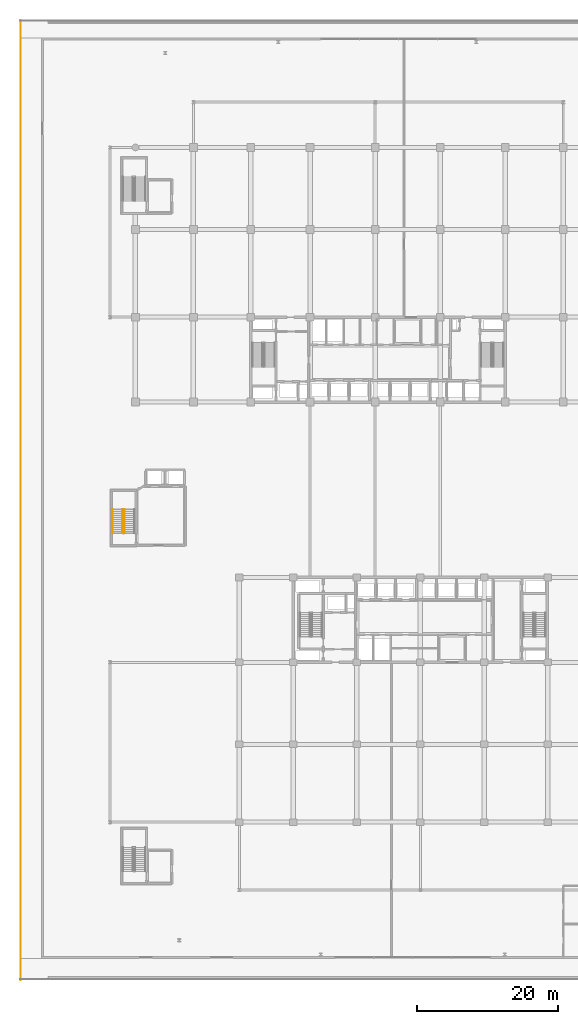
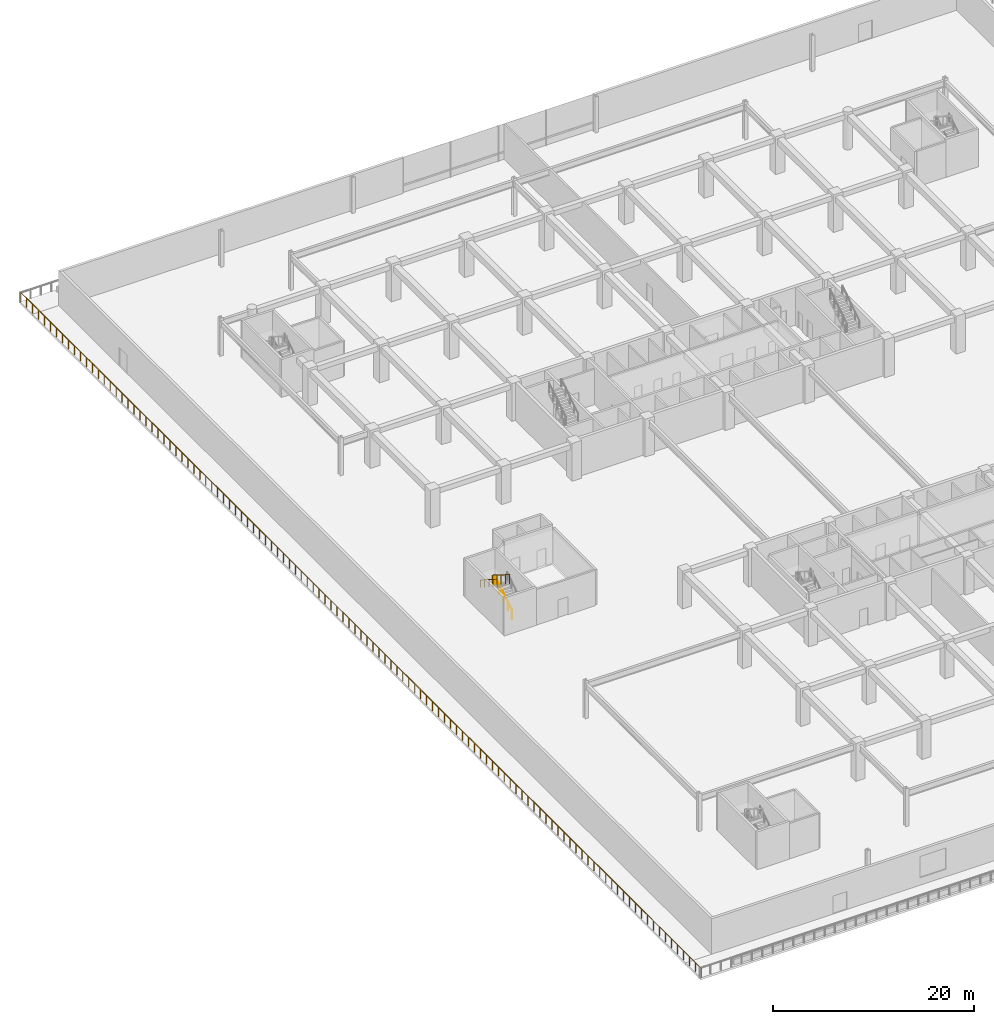
# One storey, part 38 of 45: 4 railings.
"""IFC4 building model written with IfcOpenShell, lengths in metres."""

import ifcopenshell
import ifcopenshell.guid

model = None  # the IFC model being written
_history = None  # IfcOwnerHistory: only IFC2X3 demands one
_inside = {}  # id of a spatial element -> (the spatial element, [elements in it])
_under = {}  # id of a project, library or spatial element -> (it, [spatial elements below it])
_declared = {}  # id of a project -> (the project, [libraries it declares])
_typed = {}  # id of a type object -> (the type object, [elements of that type])
_made_of = {}  # id of a material, layer set ... -> (it, [elements and type objects made of it])


def new_model(schema):
    """Start an empty IFC model of exactly this schema.

    Asked for "IFC4X3", IfcOpenShell would pick the latest addendum, in which some entities
    have other attributes; the version numbers below select the first issue.
    IFC2X3 requires an IfcOwnerHistory on every rooted entity: one is made here for all.
    """
    global model, _history
    if schema == "IFC4X3":
        model = ifcopenshell.file(schema_version=(4, 3, 0, 0))
    else:
        model = ifcopenshell.file(schema=schema)
    _inside.clear()
    _under.clear()
    _declared.clear()
    _typed.clear()
    _made_of.clear()
    _history = None
    if model.schema == "IFC2X3":
        org = make("IfcOrganization", Name="unknown")
        user = make(
            "IfcPersonAndOrganization",
            ThePerson=make("IfcPerson", FamilyName="unknown"),
            TheOrganization=org,
        )
        app = make(
            "IfcApplication",
            ApplicationDeveloper=org,
            Version="unknown",
            ApplicationFullName="unknown",
            ApplicationIdentifier="unknown",
        )
        _history = make(
            "IfcOwnerHistory",
            OwningUser=user,
            OwningApplication=app,
            ChangeAction="ADDED",
            CreationDate=0,
        )
    return model


def make(cls, **values):
    """One entity of the class cls with the attributes given. An attribute that is None is left unset."""
    return model.create_entity(
        cls, **{name: value for name, value in values.items() if value is not None}
    )


def rooted(cls, **values):
    """An entity with a GlobalId (a new one), such as an element, a storey or a relation."""
    return make(cls, GlobalId=ifcopenshell.guid.new(), OwnerHistory=_history, **values)


def si_unit(unit_type, name, prefix=None):
    """IfcSIUnit, for example si_unit("LENGTHUNIT", "METRE", prefix="MILLI")."""
    return make("IfcSIUnit", UnitType=unit_type, Prefix=prefix, Name=name)


def assignment(units):
    """IfcUnitAssignment: the units of a project."""
    return None if units is None else make("IfcUnitAssignment", Units=units)


def point(xyz):
    """IfcCartesianPoint."""
    return None if xyz is None else make("IfcCartesianPoint", Coordinates=xyz)


def direction(xyz):
    """IfcDirection."""
    return None if xyz is None else make("IfcDirection", DirectionRatios=xyz)


def frame(location, z_axis=None, x_axis=None):
    """IfcAxis2Placement3D, a coordinate frame: its origin and axes. An axis left out is left unset."""
    return make(
        "IfcAxis2Placement3D",
        Location=point(location),
        Axis=direction(z_axis),
        RefDirection=direction(x_axis),
    )


def frame_2d(location, x_axis=None):
    """IfcAxis2Placement2D, a coordinate frame in the plane: its origin and x axis."""
    return make(
        "IfcAxis2Placement2D", Location=point(location), RefDirection=direction(x_axis)
    )


def origin():
    """The frame at (0, 0, 0) with its axes left unset."""
    return frame((0.0, 0.0, 0.0))


def origin_2d():
    """The frame at (0, 0) in the plane with its x axis left unset."""
    return frame_2d((0.0, 0.0))


def place(relative_to, where):
    """IfcLocalPlacement: puts the frame where relative to a parent placement (None: the world)."""
    return make(
        "IfcLocalPlacement", PlacementRelTo=relative_to, RelativePlacement=where
    )


def context(
    kind, dimensions, precision=None, world=None, true_north=None, identifier=None
):
    """IfcGeometricRepresentationContext, for example the 3D "Model" context."""
    return make(
        "IfcGeometricRepresentationContext",
        ContextIdentifier=identifier,
        ContextType=kind,
        CoordinateSpaceDimension=dimensions,
        Precision=precision,
        WorldCoordinateSystem=world,
        TrueNorth=true_north,
    )


def subcontext(parent, identifier, kind, view, scale=None):
    """IfcGeometricRepresentationSubContext, for example "Body" below "Model"."""
    return make(
        "IfcGeometricRepresentationSubContext",
        ContextIdentifier=identifier,
        ContextType=kind,
        ParentContext=parent,
        TargetScale=scale,
        TargetView=view,
    )


def project(units=None, contexts=None):
    """IfcProject with its units and contexts."""
    return rooted(
        "IfcProject",
        Name="project",
        RepresentationContexts=contexts,
        UnitsInContext=assignment(units),
    )


def spatial(cls, under=None, at=None, **own):
    """A site, building, storey or space (cls), placed at a placement, below another one or the project."""
    s = rooted(cls, ObjectPlacement=at, **own)
    if under is not None:
        _under.setdefault(under.id(), (under, []))[1].append(s)
    return s


def profile(cls, at=None, kind="AREA", **sizes):
    """A parametric profile (cls). Its sizes go by their IFC names, for example OverallWidth=200.0."""
    return make(cls, ProfileType=kind, Position=at, **sizes)


def circle(**sizes):
    """IfcCircleProfileDef."""
    return profile("IfcCircleProfileDef", **sizes)


def extrude(swept, where, along, depth):
    """IfcExtrudedAreaSolid: the profile swept, set in the frame where, extruded along a direction by depth."""
    return make(
        "IfcExtrudedAreaSolid",
        SweptArea=swept,
        Position=where,
        ExtrudedDirection=direction(along),
        Depth=depth,
    )


def shape(context_of_items, identifier, shape_type, items):
    """IfcShapeRepresentation: the items that make up one representation, for example the "Body"."""
    return make(
        "IfcShapeRepresentation",
        ContextOfItems=context_of_items,
        RepresentationIdentifier=identifier,
        RepresentationType=shape_type,
        Items=items,
    )


def material(Name=None, Category=None):
    """IfcMaterial."""
    return make("IfcMaterial", Name=Name, Category=Category)


def made_of(thing, what):
    """Note that an element or type object is made of a material, layer set ...; save() writes the relation."""
    if what is not None:
        _made_of.setdefault(what.id(), (what, []))[1].append(thing)
    return thing


def type_object(cls, material=None, **own):
    """A type object (cls), such as IfcWallType, which elements share."""
    return made_of(rooted(cls, **own), material)


def element(
    cls,
    number,
    at=None,
    inside=None,
    cuts=None,
    type_object=None,
    material=None,
    context=None,
    identifier="Body",
    shape_type=None,
    held_by="IfcProductDefinitionShape",
    body=None,
    shapes=None,
    **own,
):
    """One element of the class cls, such as IfcWall. Its Tag is "e" and its number.

    at: its placement. inside: the storey or other place that contains it. cuts: it is an
    opening in that element (IfcRelVoidsElement). A single representation is given by context,
    identifier, shape_type and body (its items); several are given by shapes. held_by: the class
    of the entity that holds the representations. save() writes the other relations.
    """
    e = rooted(cls, Tag="e%d" % number, ObjectPlacement=at, **own)
    if body is not None:
        shapes = [shape(context, identifier, shape_type, body)]
    if shapes is not None:
        e.Representation = make(held_by, Representations=shapes)
    if inside is not None:
        _inside.setdefault(inside.id(), (inside, []))[1].append(e)
    if cuts is not None:
        rooted(
            "IfcRelVoidsElement", RelatingBuildingElement=cuts, RelatedOpeningElement=e
        )
    if type_object is not None:
        _typed.setdefault(type_object.id(), (type_object, []))[1].append(e)
    return made_of(e, material)


def aggregate(whole, parts):
    """IfcRelAggregates: a whole, such as a stair, and the parts it consists of."""
    return rooted("IfcRelAggregates", RelatingObject=whole, RelatedObjects=parts)


def save(model, path):
    """Write the relations noted so far, then the file.

    IfcRelAggregates (storeys below a building ...), IfcRelContainedInSpatialStructure (elements
    in a storey), IfcRelDefinesByType, IfcRelAssociatesMaterial and IfcRelDeclares: one each for
    every whole, place, type object, material and project.
    """
    for whole, parts in _under.values():
        aggregate(whole, parts)
    for where, things in _inside.values():
        rooted(
            "IfcRelContainedInSpatialStructure",
            RelatedElements=things,
            RelatingStructure=where,
        )
    for kind, things in _typed.values():
        rooted("IfcRelDefinesByType", RelatedObjects=things, RelatingType=kind)
    for what, things in _made_of.values():
        rooted("IfcRelAssociatesMaterial", RelatedObjects=things, RelatingMaterial=what)
    for by, libraries in _declared.values():
        rooted("IfcRelDeclares", RelatingContext=by, RelatedDefinitions=libraries)
    model.write(path)


model = new_model("IFC4")

# Units and contexts
model_context = context("Model", 3, precision=1e-05, world=origin(), true_north=direction((0.0, 1.0)))
body_context = subcontext(model_context, "Body", "Model", "MODEL_VIEW")
ifc_project = project(units=[si_unit("LENGTHUNIT", "METRE"), si_unit("AREAUNIT", "SQUARE_METRE"), si_unit("VOLUMEUNIT", "CUBIC_METRE"), si_unit("PLANEANGLEUNIT", "RADIAN"), si_unit("MASSUNIT", "GRAM", prefix="KILO")], contexts=[model_context])

# Site, building, storey
site_placement = place(None, origin())
site = spatial("IfcSite", under=ifc_project, at=site_placement, CompositionType="ELEMENT")
building_placement = place(site_placement, origin())
building = spatial("IfcBuilding", under=site, at=building_placement, Name="Korimba Cascade Residences", CompositionType="ELEMENT")
storey_placement = place(building_placement, frame((0.0, 0.0, 5.39990234375)))
storey = spatial("IfcBuildingStorey", under=building, at=storey_placement, Name="L01", CompositionType="ELEMENT", Elevation=5.39990234375)

# Railings
ifc_material_1 = material(Name="Painted Steel Stairwell Guardrail", Category="steel")
railing_type_1 = type_object("IfcRailingType", Name="RLG-ST-GD1150", PredefinedType="GUARDRAIL", material=ifc_material_1)
railing_1_placement = place(storey_placement, frame((58.27001953125, 36.64990234375, 0.177001953125)))
element("IfcRailing", 1, at=railing_1_placement, inside=storey, type_object=railing_type_1, Name="L01 ST-P1 stair guard 1", PredefinedType="GUARDRAIL", context=body_context, shape_type="SweptSolid", body=[
    extrude(circle(Radius=0.02392578125, at=origin_2d()), frame((0.0, 0.0, 1.1259765625), z_axis=(0.0, 0.845389635667, 0.534150132366), x_axis=(-1.0, 0.0, 0.0)), (0.0, 0.0, 1.0), 3.974609375),
    extrude(circle(Radius=0.02099609375, at=origin_2d()), origin(), (0.0, 0.0, 1.0), 1.101806640625),
    extrude(circle(Radius=0.02099609375, at=origin_2d()), frame((0.0, 0.840087890625, 0.53076171875)), (0.0, 0.0, 1.0), 1.101806640625),
    extrude(circle(Radius=0.02099609375, at=origin_2d()), frame((0.0, 1.68017578125, 1.0615234375)), (0.0, 0.0, 1.0), 1.101806640625),
    extrude(circle(Radius=0.02099609375, at=origin_2d()), frame((0.0, 2.52001953125, 1.59228515625)), (0.0, 0.0, 1.0), 1.101806640625),
    extrude(circle(Radius=0.02099609375, at=origin_2d()), frame((0.0, 3.360107421875, 2.123046875)), (0.0, 0.0, 1.0), 1.101806640625),
])
railing_2_placement = place(storey_placement, frame((57.969970703125, 40.010009765625, 2.47705078125)))
element("IfcRailing", 2, at=railing_2_placement, inside=storey, type_object=railing_type_1, Name="L01 ST-P1 stair guard 3", PredefinedType="GUARDRAIL", context=body_context, shape_type="SweptSolid", body=[
    extrude(circle(Radius=0.02392578125, at=origin_2d()), frame((0.0, 0.0, 1.1259765625), z_axis=(0.0, -0.845389635667, 0.534150132366), x_axis=(1.0, 0.0, 0.0)), (0.0, 0.0, 1.0), 3.974609375),
    extrude(circle(Radius=0.02099609375, at=origin_2d()), origin(), (0.0, 0.0, 1.0), 1.101806640625),
    extrude(circle(Radius=0.02099609375, at=origin_2d()), frame((0.0, -0.840087890625, 0.53076171875)), (0.0, 0.0, 1.0), 1.101806640625),
    extrude(circle(Radius=0.02099609375, at=origin_2d()), frame((0.0, -1.68017578125, 1.0615234375)), (0.0, 0.0, 1.0), 1.101806640625),
    extrude(circle(Radius=0.02099609375, at=origin_2d()), frame((0.0, -2.52001953125, 1.59228515625)), (0.0, 0.0, 1.0), 1.101806640625),
    extrude(circle(Radius=0.02099609375, at=origin_2d()), frame((0.0, -3.360107421875, 2.123046875)), (0.0, 0.0, 1.0), 1.101806640625),
])
ifc_material_2 = material(Name="Brushed Stainless Steel Handrail", Category="steel")
railing_type_2 = type_object("IfcRailingType", Name="RLG-ST-HR900", PredefinedType="HANDRAIL", material=ifc_material_2)
railing_3_placement = place(storey_placement, frame((56.550048828125, 40.010009765625, 2.65771484375)))
element("IfcRailing", 3, at=railing_3_placement, inside=storey, type_object=railing_type_2, Name="L01 ST-P1 stair handrail 2", PredefinedType="HANDRAIL", context=body_context, shape_type="SweptSolid", body=[
    extrude(circle(Radius=0.02392578125, at=origin_2d()), frame((0.0, 0.0, 0.8759765625), z_axis=(0.0, -0.845389635667, 0.534150132366), x_axis=(1.0, 0.0, 0.0)), (0.0, 0.0, 1.0), 3.974609375),
    extrude(circle(Radius=0.02099609375, at=origin_2d()), origin(), (0.0, 0.0, 1.0), 0.851806640625),
    extrude(circle(Radius=0.02099609375, at=origin_2d()), frame((0.0, -0.840087890625, 0.53076171875)), (0.0, 0.0, 1.0), 0.851806640625),
    extrude(circle(Radius=0.02099609375, at=origin_2d()), frame((0.0, -1.68017578125, 1.0615234375)), (0.0, 0.0, 1.0), 0.851806640625),
    extrude(circle(Radius=0.02099609375, at=origin_2d()), frame((0.0, -2.52001953125, 1.59228515625)), (0.0, 0.0, 1.0), 0.851806640625),
    extrude(circle(Radius=0.02099609375, at=origin_2d()), frame((0.0, -3.360107421875, 2.123046875)), (0.0, 0.0, 1.0), 0.851806640625),
])
ifc_material_3 = material(Name="Painted Galvanised Steel Terrace Guardrail", Category="steel")
railing_type_3 = type_object("IfcRailingType", Name="RLG-TER-1150", PredefinedType="GUARDRAIL", material=ifc_material_3)
railing_4_placement = place(storey_placement, frame((43.580078125, 109.199951171875, 0.0)))
element("IfcRailing", 4, at=railing_4_placement, inside=storey, type_object=railing_type_3, Name="L01 Perimeter Guardrail RLG-L01-TER-04", PredefinedType="GUARDRAIL", context=body_context, shape_type="SweptSolid", body=[
    extrude(circle(Radius=0.02392578125, at=origin_2d()), frame((0.0, 0.0, 1.1259765625), z_axis=(0.0, -1.0, 0.0), x_axis=(1.0, 0.0, 0.0)), (0.0, 0.0, 1.0), 135.699951171875),
    extrude(circle(Radius=0.02099609375, at=origin_2d()), origin(), (0.0, 0.0, 1.0), 1.101806640625),
    extrude(circle(Radius=0.02099609375, at=origin_2d()), frame((0.0, -1.1904296875, 0.0)), (0.0, 0.0, 1.0), 1.101806640625),
    extrude(circle(Radius=0.02099609375, at=origin_2d()), frame((0.0, -2.380615234375, 0.0)), (0.0, 0.0, 1.0), 1.101806640625),
    extrude(circle(Radius=0.02099609375, at=origin_2d()), frame((0.0, -3.571044921875, 0.0)), (0.0, 0.0, 1.0), 1.101806640625),
    extrude(circle(Radius=0.02099609375, at=origin_2d()), frame((0.0, -4.761474609375, 0.0)), (0.0, 0.0, 1.0), 1.101806640625),
    extrude(circle(Radius=0.02099609375, at=origin_2d()), frame((0.0, -5.95166015625, 0.0)), (0.0, 0.0, 1.0), 1.101806640625),
    extrude(circle(Radius=0.02099609375, at=origin_2d()), frame((0.0, -7.14208984375, 0.0)), (0.0, 0.0, 1.0), 1.101806640625),
    extrude(circle(Radius=0.02099609375, at=origin_2d()), frame((0.0, -8.33251953125, 0.0)), (0.0, 0.0, 1.0), 1.101806640625),
    extrude(circle(Radius=0.02099609375, at=origin_2d()), frame((0.0, -9.522705078125, 0.0)), (0.0, 0.0, 1.0), 1.101806640625),
    extrude(circle(Radius=0.02099609375, at=origin_2d()), frame((0.0, -10.713134765625, 0.0)), (0.0, 0.0, 1.0), 1.101806640625),
    extrude(circle(Radius=0.02099609375, at=origin_2d()), frame((0.0, -11.903564453125, 0.0)), (0.0, 0.0, 1.0), 1.101806640625),
    extrude(circle(Radius=0.02099609375, at=origin_2d()), frame((0.0, -13.09375, 0.0)), (0.0, 0.0, 1.0), 1.101806640625),
    extrude(circle(Radius=0.02099609375, at=origin_2d()), frame((0.0, -14.2841796875, 0.0)), (0.0, 0.0, 1.0), 1.101806640625),
    extrude(circle(Radius=0.02099609375, at=origin_2d()), frame((0.0, -15.474609375, 0.0)), (0.0, 0.0, 1.0), 1.101806640625),
    extrude(circle(Radius=0.02099609375, at=origin_2d()), frame((0.0, -16.664794921875, 0.0)), (0.0, 0.0, 1.0), 1.101806640625),
    extrude(circle(Radius=0.02099609375, at=origin_2d()), frame((0.0, -17.855224609375, 0.0)), (0.0, 0.0, 1.0), 1.101806640625),
    extrude(circle(Radius=0.02099609375, at=origin_2d()), frame((0.0, -19.045654296875, 0.0)), (0.0, 0.0, 1.0), 1.101806640625),
    extrude(circle(Radius=0.02099609375, at=origin_2d()), frame((0.0, -20.23583984375, 0.0)), (0.0, 0.0, 1.0), 1.101806640625),
    extrude(circle(Radius=0.02099609375, at=origin_2d()), frame((0.0, -21.42626953125, 0.0)), (0.0, 0.0, 1.0), 1.101806640625),
    extrude(circle(Radius=0.02099609375, at=origin_2d()), frame((0.0, -22.61669921875, 0.0)), (0.0, 0.0, 1.0), 1.101806640625),
    extrude(circle(Radius=0.02099609375, at=origin_2d()), frame((0.0, -23.80712890625, 0.0)), (0.0, 0.0, 1.0), 1.101806640625),
    extrude(circle(Radius=0.02099609375, at=origin_2d()), frame((0.0, -24.997314453125, 0.0)), (0.0, 0.0, 1.0), 1.101806640625),
    extrude(circle(Radius=0.02099609375, at=origin_2d()), frame((0.0, -26.187744140625, 0.0)), (0.0, 0.0, 1.0), 1.101806640625),
    extrude(circle(Radius=0.02099609375, at=origin_2d()), frame((0.0, -27.378173828125, 0.0)), (0.0, 0.0, 1.0), 1.101806640625),
    extrude(circle(Radius=0.02099609375, at=origin_2d()), frame((0.0, -28.568359375, 0.0)), (0.0, 0.0, 1.0), 1.101806640625),
    extrude(circle(Radius=0.02099609375, at=origin_2d()), frame((0.0, -29.7587890625, 0.0)), (0.0, 0.0, 1.0), 1.101806640625),
    extrude(circle(Radius=0.02099609375, at=origin_2d()), frame((0.0, -30.94921875, 0.0)), (0.0, 0.0, 1.0), 1.101806640625),
    extrude(circle(Radius=0.02099609375, at=origin_2d()), frame((0.0, -32.139404296875, 0.0)), (0.0, 0.0, 1.0), 1.101806640625),
    extrude(circle(Radius=0.02099609375, at=origin_2d()), frame((0.0, -33.329833984375, 0.0)), (0.0, 0.0, 1.0), 1.101806640625),
    extrude(circle(Radius=0.02099609375, at=origin_2d()), frame((0.0, -34.520263671875, 0.0)), (0.0, 0.0, 1.0), 1.101806640625),
    extrude(circle(Radius=0.02099609375, at=origin_2d()), frame((0.0, -35.71044921875, 0.0)), (0.0, 0.0, 1.0), 1.101806640625),
    extrude(circle(Radius=0.02099609375, at=origin_2d()), frame((0.0, -36.90087890625, 0.0)), (0.0, 0.0, 1.0), 1.101806640625),
    extrude(circle(Radius=0.02099609375, at=origin_2d()), frame((0.0, -38.09130859375, 0.0)), (0.0, 0.0, 1.0), 1.101806640625),
    extrude(circle(Radius=0.02099609375, at=origin_2d()), frame((0.0, -39.281494140625, 0.0)), (0.0, 0.0, 1.0), 1.101806640625),
    extrude(circle(Radius=0.02099609375, at=origin_2d()), frame((0.0, -40.471923828125, 0.0)), (0.0, 0.0, 1.0), 1.101806640625),
    extrude(circle(Radius=0.02099609375, at=origin_2d()), frame((0.0, -41.662353515625, 0.0)), (0.0, 0.0, 1.0), 1.101806640625),
    extrude(circle(Radius=0.02099609375, at=origin_2d()), frame((0.0, -42.8525390625, 0.0)), (0.0, 0.0, 1.0), 1.101806640625),
    extrude(circle(Radius=0.02099609375, at=origin_2d()), frame((0.0, -44.04296875, 0.0)), (0.0, 0.0, 1.0), 1.101806640625),
    extrude(circle(Radius=0.02099609375, at=origin_2d()), frame((0.0, -45.2333984375, 0.0)), (0.0, 0.0, 1.0), 1.101806640625),
    extrude(circle(Radius=0.02099609375, at=origin_2d()), frame((0.0, -46.423583984375, 0.0)), (0.0, 0.0, 1.0), 1.101806640625),
    extrude(circle(Radius=0.02099609375, at=origin_2d()), frame((0.0, -47.614013671875, 0.0)), (0.0, 0.0, 1.0), 1.101806640625),
    extrude(circle(Radius=0.02099609375, at=origin_2d()), frame((0.0, -48.804443359375, 0.0)), (0.0, 0.0, 1.0), 1.101806640625),
    extrude(circle(Radius=0.02099609375, at=origin_2d()), frame((0.0, -49.99462890625, 0.0)), (0.0, 0.0, 1.0), 1.101806640625),
    extrude(circle(Radius=0.02099609375, at=origin_2d()), frame((0.0, -51.18505859375, 0.0)), (0.0, 0.0, 1.0), 1.101806640625),
    extrude(circle(Radius=0.02099609375, at=origin_2d()), frame((0.0, -52.37548828125, 0.0)), (0.0, 0.0, 1.0), 1.101806640625),
    extrude(circle(Radius=0.02099609375, at=origin_2d()), frame((0.0, -53.565673828125, 0.0)), (0.0, 0.0, 1.0), 1.101806640625),
    extrude(circle(Radius=0.02099609375, at=origin_2d()), frame((0.0, -54.756103515625, 0.0)), (0.0, 0.0, 1.0), 1.101806640625),
    extrude(circle(Radius=0.02099609375, at=origin_2d()), frame((0.0, -55.946533203125, 0.0)), (0.0, 0.0, 1.0), 1.101806640625),
    extrude(circle(Radius=0.02099609375, at=origin_2d()), frame((0.0, -57.13671875, 0.0)), (0.0, 0.0, 1.0), 1.101806640625),
    extrude(circle(Radius=0.02099609375, at=origin_2d()), frame((0.0, -58.3271484375, 0.0)), (0.0, 0.0, 1.0), 1.101806640625),
    extrude(circle(Radius=0.02099609375, at=origin_2d()), frame((0.0, -59.517578125, 0.0)), (0.0, 0.0, 1.0), 1.101806640625),
    extrude(circle(Radius=0.02099609375, at=origin_2d()), frame((0.0, -60.707763671875, 0.0)), (0.0, 0.0, 1.0), 1.101806640625),
    extrude(circle(Radius=0.02099609375, at=origin_2d()), frame((0.0, -61.898193359375, 0.0)), (0.0, 0.0, 1.0), 1.101806640625),
    extrude(circle(Radius=0.02099609375, at=origin_2d()), frame((0.0, -63.088623046875, 0.0)), (0.0, 0.0, 1.0), 1.101806640625),
    extrude(circle(Radius=0.02099609375, at=origin_2d()), frame((0.0, -64.27880859375, 0.0)), (0.0, 0.0, 1.0), 1.101806640625),
    extrude(circle(Radius=0.02099609375, at=origin_2d()), frame((0.0, -65.46923828125, 0.0)), (0.0, 0.0, 1.0), 1.101806640625),
    extrude(circle(Radius=0.02099609375, at=origin_2d()), frame((0.0, -66.65966796875, 0.0)), (0.0, 0.0, 1.0), 1.101806640625),
    extrude(circle(Radius=0.02099609375, at=origin_2d()), frame((0.0, -67.85009765625, 0.0)), (0.0, 0.0, 1.0), 1.101806640625),
    extrude(circle(Radius=0.02099609375, at=origin_2d()), frame((0.0, -69.040283203125, 0.0)), (0.0, 0.0, 1.0), 1.101806640625),
    extrude(circle(Radius=0.02099609375, at=origin_2d()), frame((0.0, -70.230712890625, 0.0)), (0.0, 0.0, 1.0), 1.101806640625),
    extrude(circle(Radius=0.02099609375, at=origin_2d()), frame((0.0, -71.421142578125, 0.0)), (0.0, 0.0, 1.0), 1.101806640625),
    extrude(circle(Radius=0.02099609375, at=origin_2d()), frame((0.0, -72.611328125, 0.0)), (0.0, 0.0, 1.0), 1.101806640625),
    extrude(circle(Radius=0.02099609375, at=origin_2d()), frame((0.0, -73.8017578125, 0.0)), (0.0, 0.0, 1.0), 1.101806640625),
    extrude(circle(Radius=0.02099609375, at=origin_2d()), frame((0.0, -74.9921875, 0.0)), (0.0, 0.0, 1.0), 1.101806640625),
    extrude(circle(Radius=0.02099609375, at=origin_2d()), frame((0.0, -76.182373046875, 0.0)), (0.0, 0.0, 1.0), 1.101806640625),
    extrude(circle(Radius=0.02099609375, at=origin_2d()), frame((0.0, -77.372802734375, 0.0)), (0.0, 0.0, 1.0), 1.101806640625),
    extrude(circle(Radius=0.02099609375, at=origin_2d()), frame((0.0, -78.563232421875, 0.0)), (0.0, 0.0, 1.0), 1.101806640625),
    extrude(circle(Radius=0.02099609375, at=origin_2d()), frame((0.0, -79.75341796875, 0.0)), (0.0, 0.0, 1.0), 1.101806640625),
    extrude(circle(Radius=0.02099609375, at=origin_2d()), frame((0.0, -80.94384765625, 0.0)), (0.0, 0.0, 1.0), 1.101806640625),
    extrude(circle(Radius=0.02099609375, at=origin_2d()), frame((0.0, -82.13427734375, 0.0)), (0.0, 0.0, 1.0), 1.101806640625),
    extrude(circle(Radius=0.02099609375, at=origin_2d()), frame((0.0, -83.324462890625, 0.0)), (0.0, 0.0, 1.0), 1.101806640625),
    extrude(circle(Radius=0.02099609375, at=origin_2d()), frame((0.0, -84.514892578125, 0.0)), (0.0, 0.0, 1.0), 1.101806640625),
    extrude(circle(Radius=0.02099609375, at=origin_2d()), frame((0.0, -85.705322265625, 0.0)), (0.0, 0.0, 1.0), 1.101806640625),
    extrude(circle(Radius=0.02099609375, at=origin_2d()), frame((0.0, -86.8955078125, 0.0)), (0.0, 0.0, 1.0), 1.101806640625),
    extrude(circle(Radius=0.02099609375, at=origin_2d()), frame((0.0, -88.0859375, 0.0)), (0.0, 0.0, 1.0), 1.101806640625),
    extrude(circle(Radius=0.02099609375, at=origin_2d()), frame((0.0, -89.2763671875, 0.0)), (0.0, 0.0, 1.0), 1.101806640625),
    extrude(circle(Radius=0.02099609375, at=origin_2d()), frame((0.0, -90.466552734375, 0.0)), (0.0, 0.0, 1.0), 1.101806640625),
    extrude(circle(Radius=0.02099609375, at=origin_2d()), frame((0.0, -91.656982421875, 0.0)), (0.0, 0.0, 1.0), 1.101806640625),
    extrude(circle(Radius=0.02099609375, at=origin_2d()), frame((0.0, -92.847412109375, 0.0)), (0.0, 0.0, 1.0), 1.101806640625),
    extrude(circle(Radius=0.02099609375, at=origin_2d()), frame((0.0, -94.03759765625, 0.0)), (0.0, 0.0, 1.0), 1.101806640625),
    extrude(circle(Radius=0.02099609375, at=origin_2d()), frame((0.0, -95.22802734375, 0.0)), (0.0, 0.0, 1.0), 1.101806640625),
    extrude(circle(Radius=0.02099609375, at=origin_2d()), frame((0.0, -96.41845703125, 0.0)), (0.0, 0.0, 1.0), 1.101806640625),
    extrude(circle(Radius=0.02099609375, at=origin_2d()), frame((0.0, -97.608642578125, 0.0)), (0.0, 0.0, 1.0), 1.101806640625),
    extrude(circle(Radius=0.02099609375, at=origin_2d()), frame((0.0, -98.799072265625, 0.0)), (0.0, 0.0, 1.0), 1.101806640625),
    extrude(circle(Radius=0.02099609375, at=origin_2d()), frame((0.0, -99.989501953125, 0.0)), (0.0, 0.0, 1.0), 1.101806640625),
    extrude(circle(Radius=0.02099609375, at=origin_2d()), frame((0.0, -101.1796875, 0.0)), (0.0, 0.0, 1.0), 1.101806640625),
    extrude(circle(Radius=0.02099609375, at=origin_2d()), frame((0.0, -102.3701171875, 0.0)), (0.0, 0.0, 1.0), 1.101806640625),
    extrude(circle(Radius=0.02099609375, at=origin_2d()), frame((0.0, -103.560546875, 0.0)), (0.0, 0.0, 1.0), 1.101806640625),
    extrude(circle(Radius=0.02099609375, at=origin_2d()), frame((0.0, -104.750732421875, 0.0)), (0.0, 0.0, 1.0), 1.101806640625),
    extrude(circle(Radius=0.02099609375, at=origin_2d()), frame((0.0, -105.941162109375, 0.0)), (0.0, 0.0, 1.0), 1.101806640625),
    extrude(circle(Radius=0.02099609375, at=origin_2d()), frame((0.0, -107.131591796875, 0.0)), (0.0, 0.0, 1.0), 1.101806640625),
    extrude(circle(Radius=0.02099609375, at=origin_2d()), frame((0.0, -108.32177734375, 0.0)), (0.0, 0.0, 1.0), 1.101806640625),
    extrude(circle(Radius=0.02099609375, at=origin_2d()), frame((0.0, -109.51220703125, 0.0)), (0.0, 0.0, 1.0), 1.101806640625),
    extrude(circle(Radius=0.02099609375, at=origin_2d()), frame((0.0, -110.70263671875, 0.0)), (0.0, 0.0, 1.0), 1.101806640625),
    extrude(circle(Radius=0.02099609375, at=origin_2d()), frame((0.0, -111.892822265625, 0.0)), (0.0, 0.0, 1.0), 1.101806640625),
    extrude(circle(Radius=0.02099609375, at=origin_2d()), frame((0.0, -113.083251953125, 0.0)), (0.0, 0.0, 1.0), 1.101806640625),
    extrude(circle(Radius=0.02099609375, at=origin_2d()), frame((0.0, -114.273681640625, 0.0)), (0.0, 0.0, 1.0), 1.101806640625),
    extrude(circle(Radius=0.02099609375, at=origin_2d()), frame((0.0, -115.464111328125, 0.0)), (0.0, 0.0, 1.0), 1.101806640625),
    extrude(circle(Radius=0.02099609375, at=origin_2d()), frame((0.0, -116.654296875, 0.0)), (0.0, 0.0, 1.0), 1.101806640625),
    extrude(circle(Radius=0.02099609375, at=origin_2d()), frame((0.0, -117.8447265625, 0.0)), (0.0, 0.0, 1.0), 1.101806640625),
    extrude(circle(Radius=0.02099609375, at=origin_2d()), frame((0.0, -119.03515625, 0.0)), (0.0, 0.0, 1.0), 1.101806640625),
    extrude(circle(Radius=0.02099609375, at=origin_2d()), frame((0.0, -120.225341796875, 0.0)), (0.0, 0.0, 1.0), 1.101806640625),
    extrude(circle(Radius=0.02099609375, at=origin_2d()), frame((0.0, -121.415771484375, 0.0)), (0.0, 0.0, 1.0), 1.101806640625),
    extrude(circle(Radius=0.02099609375, at=origin_2d()), frame((0.0, -122.606201171875, 0.0)), (0.0, 0.0, 1.0), 1.101806640625),
    extrude(circle(Radius=0.02099609375, at=origin_2d()), frame((0.0, -123.79638671875, 0.0)), (0.0, 0.0, 1.0), 1.101806640625),
    extrude(circle(Radius=0.02099609375, at=origin_2d()), frame((0.0, -124.98681640625, 0.0)), (0.0, 0.0, 1.0), 1.101806640625),
    extrude(circle(Radius=0.02099609375, at=origin_2d()), frame((0.0, -126.17724609375, 0.0)), (0.0, 0.0, 1.0), 1.101806640625),
    extrude(circle(Radius=0.02099609375, at=origin_2d()), frame((0.0, -127.367431640625, 0.0)), (0.0, 0.0, 1.0), 1.101806640625),
    extrude(circle(Radius=0.02099609375, at=origin_2d()), frame((0.0, -128.557861328125, 0.0)), (0.0, 0.0, 1.0), 1.101806640625),
    extrude(circle(Radius=0.02099609375, at=origin_2d()), frame((0.0, -129.748291015625, 0.0)), (0.0, 0.0, 1.0), 1.101806640625),
    extrude(circle(Radius=0.02099609375, at=origin_2d()), frame((0.0, -130.9384765625, 0.0)), (0.0, 0.0, 1.0), 1.101806640625),
    extrude(circle(Radius=0.02099609375, at=origin_2d()), frame((0.0, -132.12890625, 0.0)), (0.0, 0.0, 1.0), 1.101806640625),
    extrude(circle(Radius=0.02099609375, at=origin_2d()), frame((0.0, -133.3193359375, 0.0)), (0.0, 0.0, 1.0), 1.101806640625),
    extrude(circle(Radius=0.02099609375, at=origin_2d()), frame((0.0, -134.509521484375, 0.0)), (0.0, 0.0, 1.0), 1.101806640625),
    extrude(circle(Radius=0.02099609375, at=origin_2d()), frame((0.0, -135.699951171875, 0.0)), (0.0, 0.0, 1.0), 1.101806640625),
])

save(model, "model.ifc")
